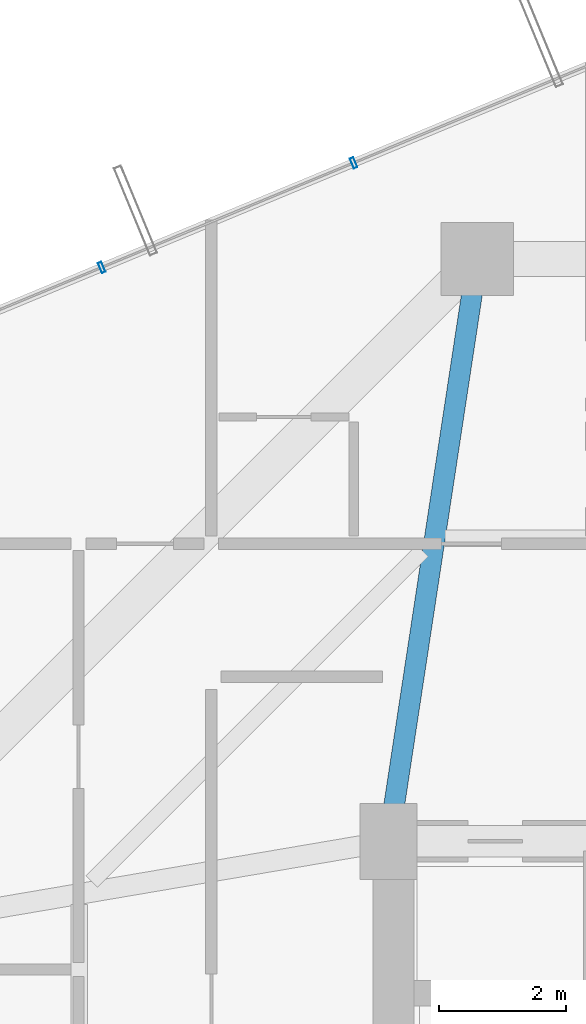
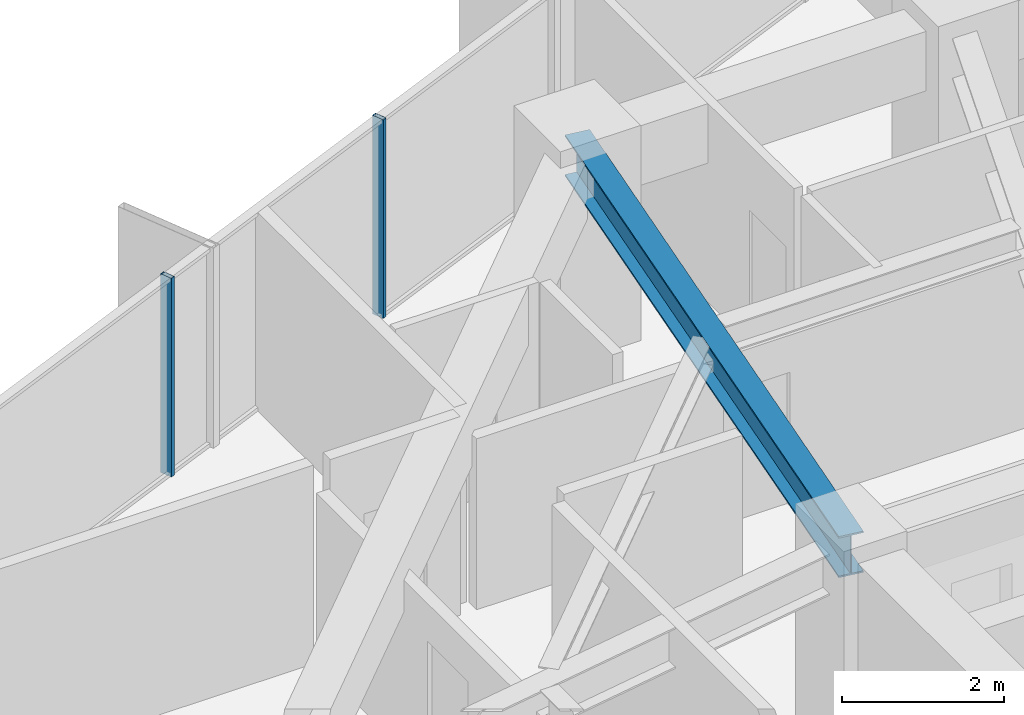
# One storey, part 18 of 30: 2 members, 1 beam, 1 element without a shape of its own.
"""IFC4 building model written with IfcOpenShell, lengths in metres."""

from ifc_helpers import new_model, si_unit, direction, frame, origin, origin_2d, place, context, subcontext, project, spatial, hollow_rectangle, i_section, extrude, source, transform, mapped, material, layer, layer_set, material_profile, profile_set, type_object, element, aggregate, save


model = new_model("IFC4")

# Units and contexts
model_context = context("Model", 3, precision=1e-05, world=origin(), true_north=direction((0.0, 1.0)))
body_context = subcontext(model_context, "Body", "Model", "MODEL_VIEW")
ifc_project = project(units=[si_unit("LENGTHUNIT", "METRE"), si_unit("AREAUNIT", "SQUARE_METRE"), si_unit("VOLUMEUNIT", "CUBIC_METRE"), si_unit("PLANEANGLEUNIT", "RADIAN"), si_unit("MASSUNIT", "GRAM", prefix="KILO")], contexts=[model_context])

# Site, building, storey
site_placement = place(None, origin())
site = spatial("IfcSite", under=ifc_project, at=site_placement, CompositionType="ELEMENT")
building_placement = place(site_placement, origin())
building = spatial("IfcBuilding", under=site, at=building_placement, Name="Veraguas Prism Commons", CompositionType="ELEMENT")
storey_placement = place(building_placement, frame((0.0, 0.0, 102.449951171875)))
storey = spatial("IfcBuildingStorey", under=building, at=storey_placement, Name="L28", CompositionType="ELEMENT", Elevation=102.449951171875)

# Beam
ifc_material_1 = material(Name="Steel ASTM A992 Grade 50", Category="steel")
ifc_material_profile_1 = material_profile(ifc_material_1, i_section(OverallWidth=0.327880859375, OverallDepth=0.6220703125, WebThickness=0.015380859375, FlangeThickness=0.0244140625, at=origin_2d()), Name="W610X195")
ifc_profile_set_1 = profile_set([ifc_material_profile_1], Name="Steel ASTM A992 Grade 50")
beam_type = type_object("IfcBeamType", Name="Zone 2 Radial Girder W610x195", PredefinedType="BEAM", material=ifc_profile_set_1)
beam_placement = place(storey_placement, frame((18.60009765625, 40.199951171875, 2.68896484375), z_axis=(-0.150458162136, -0.98861637729, 0.0), x_axis=(0.98861637729, -0.150458162136, 0.0)))
element("IfcBeam", 1, at=beam_placement, inside=storey, type_object=beam_type, Name="Radial Floor Girder L28-RD06", PredefinedType="BEAM", context=body_context, shape_type="SweptSolid", body=[
    extrude(i_section(OverallWidth=0.327880859375, OverallDepth=0.6220703125, WebThickness=0.015380859375, FlangeThickness=0.0244140625, at=origin_2d()), origin(), (0.0, 0.0, 1.0), 9.305908203125),
])

# Curtain wall, members
ifc_material_2 = material(Name="Anodised aluminium EN AW-6063 T6", Category="aluminium")
ifc_layer = layer(ifc_material_2, 0.169921875, Name="Unitised Flush Curtain Wall Zone 2", Category="aluminium")
ifc_layer_set = layer_set([ifc_layer], Name="Anodised aluminium EN AW-6063 T6")
curtain_wall_type = type_object("IfcCurtainWallType", Name="Unitised Flush Curtain Wall Zone 2", PredefinedType="NOTDEFINED", material=ifc_layer_set)
curtain_wall_placement = place(storey_placement, origin())
curtain_wall = element("IfcCurtainWall", 2, at=curtain_wall_placement, inside=storey, type_object=curtain_wall_type, Name="Tower Facade Curtain Wall L28-F2", PredefinedType="NOTDEFINED")
ifc_material_profile_2 = material_profile(ifc_material_2, hollow_rectangle(XDim=0.06005859375, YDim=0.169921875, WallThickness=0.00390625, at=origin_2d()), Name="AL60X170X4")
ifc_profile_set_2 = profile_set([ifc_material_profile_2], Name="Anodised aluminium EN AW-6063 T6")
member_type = type_object("IfcMemberType", Name="Curtain Wall Mullion Lower AL 60x170x4", PredefinedType="MULLION", material=ifc_profile_set_2)
shared_shape = source(origin(), body_context, "Body", "SweptSolid", [
    extrude(hollow_rectangle(XDim=0.06005859375, YDim=0.169921875, WallThickness=0.00390625, at=origin_2d()), origin(), (0.0, 0.0, 1.0), 3.0),
])
member_1_placement = place(storey_placement, frame((16.646728515625, 41.717041015625, 0.0), z_axis=(0.0, 0.0, 1.0), x_axis=(-0.92361080588, -0.383331552657, 0.0)))
member_1 = element("IfcMember", 3, at=member_1_placement, type_object=member_type, Name="CW-Z2 Mullion 3", PredefinedType="MULLION", context=body_context, shape_type="MappedRepresentation", body=[
    mapped(shared_shape, transform((0.0, 0.0, 0.0), scale=1.0)),
])
member_2_placement = place(storey_placement, frame((12.66748046875, 40.0654296875, 0.0), z_axis=(0.0, 0.0, 1.0), x_axis=(-0.92361080588, -0.383331552657, 0.0)))
member_2 = element("IfcMember", 4, at=member_2_placement, type_object=member_type, Name="CW-Z2 Mullion 4", PredefinedType="MULLION", context=body_context, shape_type="MappedRepresentation", body=[
    mapped(shared_shape, transform((0.0, 0.0, 0.0), scale=1.0)),
])
aggregate(curtain_wall, [member_1, member_2])

save(model, "model.ifc")
